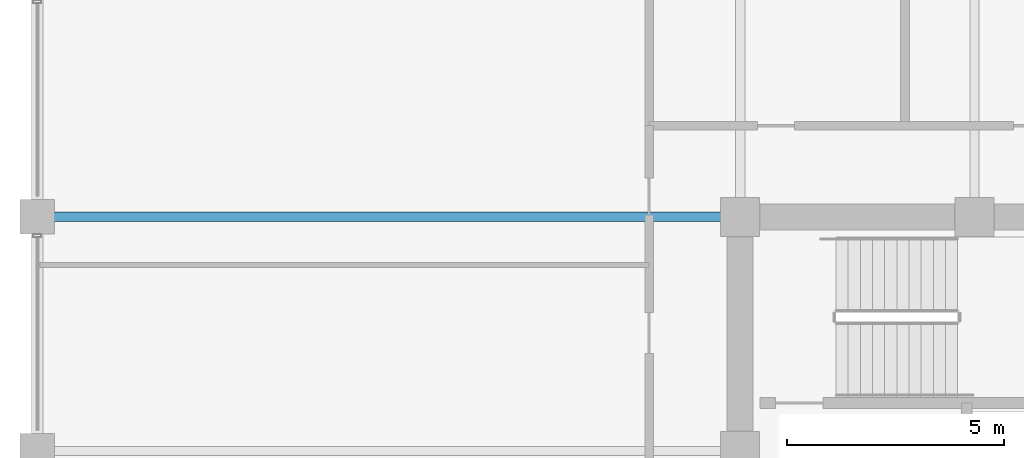
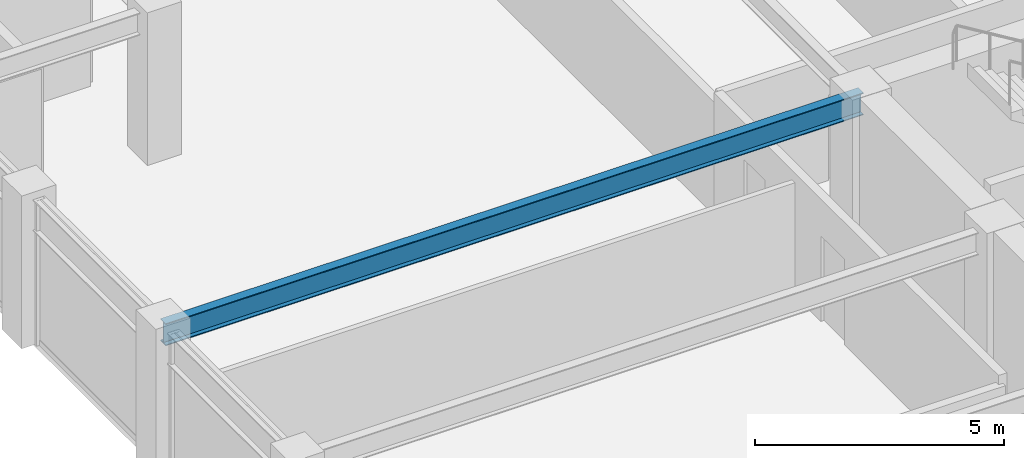
# One storey, part 17 of 32: 1 beam.
"""IFC4 building model written with IfcOpenShell, lengths in metres."""

from ifc_helpers import new_model, si_unit, direction, frame, origin, origin_2d, place, context, subcontext, project, spatial, i_section, extrude, material, material_profile, profile_set, type_object, element, save


model = new_model("IFC4")

# Units and contexts
model_context = context("Model", 3, precision=1e-05, world=origin(), true_north=direction((0.0, 1.0)))
body_context = subcontext(model_context, "Body", "Model", "MODEL_VIEW")
ifc_project = project(units=[si_unit("LENGTHUNIT", "METRE"), si_unit("AREAUNIT", "SQUARE_METRE"), si_unit("VOLUMEUNIT", "CUBIC_METRE"), si_unit("PLANEANGLEUNIT", "RADIAN"), si_unit("MASSUNIT", "GRAM", prefix="KILO")], contexts=[model_context])

# Site, building, storey
site_placement = place(None, origin())
site = spatial("IfcSite", under=ifc_project, at=site_placement, CompositionType="ELEMENT")
building_placement = place(site_placement, origin())
building = spatial("IfcBuilding", under=site, at=building_placement, Name="Surkhivell Harbour Commons", CompositionType="ELEMENT")
storey_placement = place(building_placement, frame((0.0, 0.0, 216.0)))
storey = spatial("IfcBuildingStorey", under=building, at=storey_placement, Name="L56", CompositionType="ELEMENT", Elevation=216.0)

# Beam
ifc_material = material(Name="Steel S355", Category="steel")
ifc_material_profile = material_profile(ifc_material, i_section(OverallWidth=0.2119140625, OverallDepth=0.5439453125, WebThickness=0.0126953125, FlangeThickness=0.021240234375, at=origin_2d()), Name="UB533x210x122")
ifc_profile_set = profile_set([ifc_material_profile], Name="Steel S355")
beam_type = type_object("IfcBeamType", Name="BM-GRD-533A", PredefinedType="BEAM", material=ifc_profile_set)
beam_placement = place(storey_placement, frame((-27.0, 10.800048828125, 3.298095703125), z_axis=(1.0, 0.0, 0.0), x_axis=(0.0, 1.0, 0.0)))
element("IfcBeam", 1, at=beam_placement, inside=storey, type_object=beam_type, Name="L56 Floor Girder (-27.0,10.8)", PredefinedType="BEAM", context=body_context, shape_type="SweptSolid", body=[
    extrude(i_section(OverallWidth=0.2119140625, OverallDepth=0.5439453125, WebThickness=0.0126953125, FlangeThickness=0.021240234375, at=origin_2d()), origin(), (0.0, 0.0, 1.0), 16.199951171875),
])

save(model, "model.ifc")
